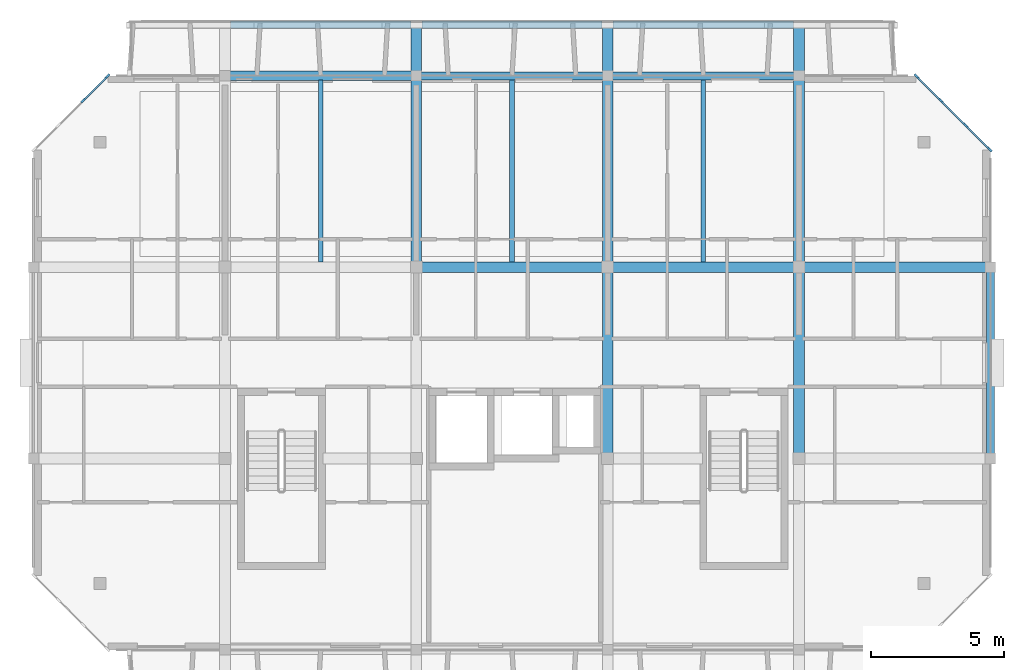
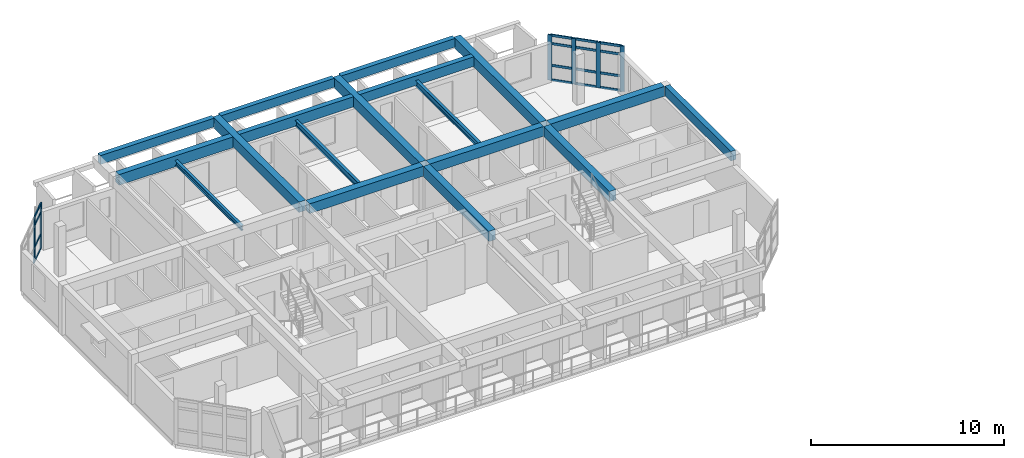
# One storey, part 4 of 19: 22 members, 18 beams, 2 elements without a shape of their own.
"""IFC4 building model written with IfcOpenShell, lengths in metres."""

from ifc_helpers import new_model, si_unit, direction, frame, origin, origin_2d, place, context, subcontext, project, spatial, rectangle, i_section, extrude, material, layer, layer_set, material_profile, profile_set, type_object, element, aggregate, save


model = new_model("IFC4")

# Units and contexts
model_context = context("Model", 3, precision=1e-05, world=origin(), true_north=direction((0.0, 1.0)))
body_context = subcontext(model_context, "Body", "Model", "MODEL_VIEW")
ifc_project = project(units=[si_unit("LENGTHUNIT", "METRE"), si_unit("AREAUNIT", "SQUARE_METRE"), si_unit("VOLUMEUNIT", "CUBIC_METRE"), si_unit("PLANEANGLEUNIT", "RADIAN"), si_unit("MASSUNIT", "GRAM", prefix="KILO")], contexts=[model_context])

# Site, building, storey
site_placement = place(None, origin())
site = spatial("IfcSite", under=ifc_project, at=site_placement, CompositionType="ELEMENT")
building_placement = place(site_placement, origin())
building = spatial("IfcBuilding", under=site, at=building_placement, Name="Ochrevale Crest", CompositionType="ELEMENT")
storey_placement = place(building_placement, frame((0.0, 0.0, 43.35009765625)))
storey = spatial("IfcBuildingStorey", under=building, at=storey_placement, Name="L13", CompositionType="ELEMENT", Elevation=43.35009765625)

# Beams
ifc_material_1 = material(Name="Precast concrete C50/60", Category="concrete")
ifc_material_profile_1 = material_profile(ifc_material_1, rectangle(XDim=0.39990234375, YDim=0.6201171875, at=origin_2d()), Name="PC 400x620")
ifc_profile_set_1 = profile_set([ifc_material_profile_1], Name="Precast concrete C50/60")
beam_type_1 = type_object("IfcBeamType", Name="BM-PC400x620", PredefinedType="BEAM", material=ifc_profile_set_1)
for number, where, z_axis, x_axis, name in (
    (1, (144.199951171875, 86.39990234375, 2.83984375), (1.0, 0.0, 0.0), (0.0, 1.0, 0.0), "Block D L13 E-W beam Y=86.4"),
    (2, (151.39990234375, 86.39990234375, 2.83984375), (1.0, 0.0, 0.0), (0.0, 1.0, 0.0), "Block D L13 E-W beam Y=86.4"),
):
    element("IfcBeam", number, at=place(storey_placement, frame(where, z_axis=z_axis, x_axis=x_axis)), inside=storey, type_object=beam_type_1, Name=name, PredefinedType="BEAM", context=body_context, shape_type="SweptSolid", body=[
        extrude(rectangle(XDim=0.39990234375, YDim=0.6201171875, at=origin_2d()), origin(), (0.0, 0.0, 1.0), 6.800048828125),
    ])
beam_1_placement = place(storey_placement, frame((158.60009765625, 86.39990234375, 2.83984375), z_axis=(1.0, 0.0, 0.0), x_axis=(0.0, 1.0, 0.0)))
element("IfcBeam", 3, at=beam_1_placement, inside=storey, type_object=beam_type_1, Name="Block D L13 E-W beam Y=86.4", PredefinedType="BEAM", context=body_context, shape_type="SweptSolid", body=[
    extrude(rectangle(XDim=0.39990234375, YDim=0.6201171875, at=origin_2d()), origin(), (0.0, 0.0, 1.0), 6.824951171875),
])
ifc_material_profile_2 = material_profile(ifc_material_1, rectangle(XDim=0.39990234375, YDim=0.64990234375, at=origin_2d()), Name="PC 400x650")
ifc_profile_set_2 = profile_set([ifc_material_profile_2], Name="Precast concrete C50/60")
beam_type_2 = type_object("IfcBeamType", Name="BM-PC400x650", PredefinedType="BEAM", material=ifc_profile_set_2)
beam_2_placement = place(storey_placement, frame((144.0, 86.60498046875, 2.824951171875), z_axis=(0.0, 1.0, 0.0), x_axis=(-1.0, 0.0, 0.0)))
element("IfcBeam", 4, at=beam_2_placement, inside=storey, type_object=beam_type_2, Name="Block D L13 N-S beam X=144.0", PredefinedType="BEAM", context=body_context, shape_type="SweptSolid", body=[
    extrude(rectangle(XDim=0.39990234375, YDim=0.64990234375, at=origin_2d()), origin(), (0.0, 0.0, 1.0), 8.9150390625),
])
beam_3_placement = place(storey_placement, frame((151.199951171875, 79.405029296875, 2.824951171875), z_axis=(0.0, 1.0, 0.0), x_axis=(-1.0, 0.0, 0.0)))
element("IfcBeam", 5, at=beam_3_placement, inside=storey, type_object=beam_type_2, Name="Block D L13 N-S beam X=151.2", PredefinedType="BEAM", context=body_context, shape_type="SweptSolid", body=[
    extrude(rectangle(XDim=0.39990234375, YDim=0.64990234375, at=origin_2d()), origin(), (0.0, 0.0, 1.0), 6.7900390625),
])
beam_4_placement = place(storey_placement, frame((151.199951171875, 86.60498046875, 2.824951171875), z_axis=(0.0, 1.0, 0.0), x_axis=(-1.0, 0.0, 0.0)))
element("IfcBeam", 6, at=beam_4_placement, inside=storey, type_object=beam_type_2, Name="Block D L13 N-S beam X=151.2", PredefinedType="BEAM", context=body_context, shape_type="SweptSolid", body=[
    extrude(rectangle(XDim=0.39990234375, YDim=0.64990234375, at=origin_2d()), origin(), (0.0, 0.0, 1.0), 8.9150390625),
])
beam_5_placement = place(storey_placement, frame((158.39990234375, 79.405029296875, 2.824951171875), z_axis=(0.0, 1.0, 0.0), x_axis=(-1.0, 0.0, 0.0)))
element("IfcBeam", 7, at=beam_5_placement, inside=storey, type_object=beam_type_2, Name="Block D L13 N-S beam X=158.4", PredefinedType="BEAM", context=body_context, shape_type="SweptSolid", body=[
    extrude(rectangle(XDim=0.39990234375, YDim=0.64990234375, at=origin_2d()), origin(), (0.0, 0.0, 1.0), 6.7900390625),
])
beam_6_placement = place(storey_placement, frame((158.39990234375, 86.60498046875, 2.824951171875), z_axis=(0.0, 1.0, 0.0), x_axis=(-1.0, 0.0, 0.0)))
element("IfcBeam", 8, at=beam_6_placement, inside=storey, type_object=beam_type_2, Name="Block D L13 N-S beam X=158.4", PredefinedType="BEAM", context=body_context, shape_type="SweptSolid", body=[
    extrude(rectangle(XDim=0.39990234375, YDim=0.64990234375, at=origin_2d()), origin(), (0.0, 0.0, 1.0), 8.9150390625),
])
ifc_material_2 = material(Name="Precast concrete C40/50", Category="concrete")
ifc_material_profile_3 = material_profile(ifc_material_2, rectangle(XDim=0.280029296875, YDim=0.550048828125, at=origin_2d()), Name="PC 280x550")
ifc_profile_set_3 = profile_set([ifc_material_profile_3], Name="Precast concrete C40/50")
beam_type_3 = type_object("IfcBeamType", Name="BM-SP280x550", PredefinedType="SPANDREL", material=ifc_profile_set_3)
for number, where, z_axis, x_axis, name in (
    (9, (137.0048828125, 95.52001953125, 2.875), (1.0, 0.0, 0.0), (0.0, 1.0, 0.0), "Block D L13 top-loggia precast ring lintel N-1"),
    (10, (144.205078125, 95.52001953125, 2.875), (1.0, 0.0, 0.0), (0.0, 1.0, 0.0), "Block D L13 top-loggia precast ring lintel N-2"),
    (11, (151.405029296875, 95.52001953125, 2.875), (1.0, 0.0, 0.0), (0.0, 1.0, 0.0), "Block D L13 top-loggia precast ring lintel N-3"),
):
    element("IfcBeam", number, at=place(storey_placement, frame(where, z_axis=z_axis, x_axis=x_axis)), inside=storey, type_object=beam_type_3, Name=name, PredefinedType="SPANDREL", context=body_context, shape_type="SweptSolid", body=[
        extrude(rectangle(XDim=0.280029296875, YDim=0.550048828125, at=origin_2d()), origin(), (0.0, 0.0, 1.0), 6.7900390625),
    ])
ifc_material_profile_4 = material_profile(ifc_material_2, rectangle(XDim=0.300048828125, YDim=0.60009765625, at=origin_2d()), Name="PC 300x600")
ifc_profile_set_4 = profile_set([ifc_material_profile_4], Name="Precast concrete C40/50")
beam_type_4 = type_object("IfcBeamType", Name="BM-SP300x600", PredefinedType="SPANDREL", material=ifc_profile_set_4)
beam_7_placement = place(storey_placement, frame((151.375, 93.60009765625, 2.849853515625), z_axis=(1.0, 0.0, 0.0), x_axis=(0.0, 1.0, 0.0)))
element("IfcBeam", 12, at=beam_7_placement, inside=storey, type_object=beam_type_4, Name="Block D L13 E-W beam Y=93.6", PredefinedType="SPANDREL", context=body_context, shape_type="SweptSolid", body=[
    extrude(rectangle(XDim=0.300048828125, YDim=0.60009765625, at=origin_2d()), origin(), (0.0, 0.0, 1.0), 6.85009765625),
])
beam_8_placement = place(storey_placement, frame((165.60009765625, 79.3798828125, 2.849853515625), z_axis=(0.0, 1.0, 0.0), x_axis=(-1.0, 0.0, 0.0)))
element("IfcBeam", 13, at=beam_8_placement, inside=storey, type_object=beam_type_4, Name="Block D L13 N-S beam X=165.6", PredefinedType="SPANDREL", context=body_context, shape_type="SweptSolid", body=[
    extrude(rectangle(XDim=0.300048828125, YDim=0.60009765625, at=origin_2d()), origin(), (0.0, 0.0, 1.0), 6.840087890625),
])
ifc_material_profile_5 = material_profile(ifc_material_2, rectangle(XDim=0.300048828125, YDim=0.64990234375, at=origin_2d()), Name="PC 300x650")
ifc_profile_set_5 = profile_set([ifc_material_profile_5], Name="Precast concrete C40/50")
beam_type_5 = type_object("IfcBeamType", Name="BM-SP300x650", PredefinedType="SPANDREL", material=ifc_profile_set_5)
beam_9_placement = place(storey_placement, frame((144.175048828125, 93.60009765625, 2.824951171875), z_axis=(1.0, 0.0, 0.0), x_axis=(0.0, 1.0, 0.0)))
element("IfcBeam", 14, at=beam_9_placement, inside=storey, type_object=beam_type_5, Name="Block D L13 E-W beam Y=93.6", PredefinedType="SPANDREL", context=body_context, shape_type="SweptSolid", body=[
    extrude(rectangle(XDim=0.300048828125, YDim=0.64990234375, at=origin_2d()), origin(), (0.0, 0.0, 1.0), 6.849853515625),
])
ifc_material_profile_6 = material_profile(ifc_material_2, rectangle(XDim=0.35009765625, YDim=0.679931640625, at=origin_2d()), Name="PC 350x680")
ifc_profile_set_6 = profile_set([ifc_material_profile_6], Name="Precast concrete C40/50")
beam_type_6 = type_object("IfcBeamType", Name="BM-SP350x680", PredefinedType="SPANDREL", material=ifc_profile_set_6)
beam_10_placement = place(storey_placement, frame((136.97509765625, 93.60009765625, 2.809814453125), z_axis=(1.0, 0.0, 0.0), x_axis=(0.0, 1.0, 0.0)))
element("IfcBeam", 15, at=beam_10_placement, inside=storey, type_object=beam_type_6, Name="Block D L13 E-W beam Y=93.6", PredefinedType="SPANDREL", context=body_context, shape_type="SweptSolid", body=[
    extrude(rectangle(XDim=0.35009765625, YDim=0.679931640625, at=origin_2d()), origin(), (0.0, 0.0, 1.0), 6.849853515625),
])
ifc_material_3 = material(Name="Steel S355", Category="steel")
ifc_material_profile_7 = material_profile(ifc_material_3, i_section(OverallWidth=0.1650390625, OverallDepth=0.3037109375, WebThickness=0.006103515625, FlangeThickness=0.01025390625, FilletRadius=0.011474609375, at=origin_2d()), Name="310UB40.4")
ifc_profile_set_7 = profile_set([ifc_material_profile_7], Name="Steel S355")
beam_type_7 = type_object("IfcBeamType", Name="BM-UB310A", PredefinedType="BEAM", material=ifc_profile_set_7)
beam_11_placement = place(storey_placement, frame((140.39990234375, 86.587890625, 2.722900390625), z_axis=(0.0, 1.0, 0.0), x_axis=(-1.0, 0.0, 0.0)))
element("IfcBeam", 16, at=beam_11_placement, inside=storey, type_object=beam_type_7, Name="Block D L13 composite plank trimmer beam 2", PredefinedType="BEAM", context=body_context, shape_type="SweptSolid", body=[
    extrude(i_section(OverallWidth=0.1650390625, OverallDepth=0.3037109375, WebThickness=0.006103515625, FlangeThickness=0.01025390625, FilletRadius=0.011474609375, at=origin_2d()), origin(), (0.0, 0.0, 1.0), 6.84912109375),
])
ifc_material_profile_8 = material_profile(ifc_material_3, i_section(OverallWidth=0.17138671875, OverallDepth=0.355712890625, WebThickness=0.00732421875, FlangeThickness=0.011474609375, FilletRadius=0.011474609375, at=origin_2d()), Name="360UB50.7")
ifc_profile_set_8 = profile_set([ifc_material_profile_8], Name="Steel S355")
beam_type_8 = type_object("IfcBeamType", Name="BM-UB360A", PredefinedType="BEAM", material=ifc_profile_set_8)
beam_12_placement = place(storey_placement, frame((147.60009765625, 86.587890625, 2.697021484375), z_axis=(0.0, 1.0, 0.0), x_axis=(-1.0, 0.0, 0.0)))
element("IfcBeam", 17, at=beam_12_placement, inside=storey, type_object=beam_type_8, Name="Block D L13 composite plank trimmer beam 3", PredefinedType="BEAM", context=body_context, shape_type="SweptSolid", body=[
    extrude(i_section(OverallWidth=0.17138671875, OverallDepth=0.355712890625, WebThickness=0.00732421875, FlangeThickness=0.011474609375, FilletRadius=0.011474609375, at=origin_2d()), origin(), (0.0, 0.0, 1.0), 6.8740234375),
])
ifc_material_profile_9 = material_profile(ifc_material_3, i_section(OverallWidth=0.172119140625, OverallDepth=0.358642578125, WebThickness=0.008056640625, FlangeThickness=0.012939453125, FilletRadius=0.011474609375, at=origin_2d()), Name="360UB56.7")
ifc_profile_set_9 = profile_set([ifc_material_profile_9], Name="Steel S355")
beam_type_9 = type_object("IfcBeamType", Name="BM-UB360B", PredefinedType="BEAM", material=ifc_profile_set_9)
beam_13_placement = place(storey_placement, frame((154.800048828125, 86.587890625, 2.695556640625), z_axis=(0.0, 1.0, 0.0), x_axis=(-1.0, 0.0, 0.0)))
element("IfcBeam", 18, at=beam_13_placement, inside=storey, type_object=beam_type_9, Name="Block D L13 composite plank trimmer beam 4", PredefinedType="BEAM", context=body_context, shape_type="SweptSolid", body=[
    extrude(i_section(OverallWidth=0.172119140625, OverallDepth=0.358642578125, WebThickness=0.008056640625, FlangeThickness=0.012939453125, FilletRadius=0.011474609375, at=origin_2d()), origin(), (0.0, 0.0, 1.0), 6.8740234375),
])

# Curtain wall, members
ifc_material_4 = material(Name="Anodised aluminium 6063-T5", Category="aluminium")
ifc_layer_1 = layer(ifc_material_4, 0.14990234375)
ifc_layer_set_1 = layer_set([ifc_layer_1], Name="Anodised aluminium 6063-T5")
curtain_wall_type_1 = type_object("IfcCurtainWallType", Name="CW-WG-320x285", PredefinedType="NOTDEFINED", material=ifc_layer_set_1)
curtain_wall_1_placement = place(storey_placement, origin())
curtain_wall_1 = element("IfcCurtainWall", 19, at=curtain_wall_1_placement, inside=storey, type_object=curtain_wall_type_1, Name="Block D L13 chamfered corner wintergarden curtain wall 4", PredefinedType="NOTDEFINED")
ifc_material_profile_10 = material_profile(ifc_material_4, rectangle(XDim=0.074951171875, YDim=0.219970703125, at=origin_2d()), Name="ALU 75x220")
ifc_profile_set_10 = profile_set([ifc_material_profile_10], Name="Anodised aluminium 6063-T5")
member_type_1 = type_object("IfcMemberType", Name="CW-MUL-75x220", PredefinedType="MULLION", material=ifc_profile_set_10)
member_1_placement = place(storey_placement, frame((165.573486328125, 90.826416015625, 0.0), z_axis=(0.0, 0.0, 1.0), x_axis=(-0.707106781187, -0.707106781187, 0.0)))
member_1 = element("IfcMember", 20, at=member_1_placement, type_object=member_type_1, Name="CW17 mullion 1", PredefinedType="MULLION", context=body_context, shape_type="SweptSolid", body=[
    extrude(rectangle(XDim=0.074951171875, YDim=0.219970703125, at=origin_2d()), origin(), (0.0, 0.0, 1.0), 2.875),
])
member_2_placement = place(storey_placement, frame((164.666748046875, 91.7333984375, 0.0), z_axis=(0.0, 0.0, 1.0), x_axis=(-0.707106781187, -0.707106781187, 0.0)))
member_2 = element("IfcMember", 21, at=member_2_placement, type_object=member_type_1, Name="CW17 mullion 2", PredefinedType="MULLION", context=body_context, shape_type="SweptSolid", body=[
    extrude(rectangle(XDim=0.074951171875, YDim=0.219970703125, at=origin_2d()), origin(), (0.0, 0.0, 1.0), 2.875),
])
member_3_placement = place(storey_placement, frame((163.7333984375, 92.666748046875, 0.0), z_axis=(0.0, 0.0, 1.0), x_axis=(-0.707106781187, -0.707106781187, 0.0)))
member_3 = element("IfcMember", 22, at=member_3_placement, type_object=member_type_1, Name="CW17 mullion 3", PredefinedType="MULLION", context=body_context, shape_type="SweptSolid", body=[
    extrude(rectangle(XDim=0.074951171875, YDim=0.219970703125, at=origin_2d()), origin(), (0.0, 0.0, 1.0), 2.875),
])
member_4_placement = place(storey_placement, frame((162.826416015625, 93.573486328125, 0.0), z_axis=(0.0, 0.0, 1.0), x_axis=(-0.707106781187, -0.707106781187, 0.0)))
member_4 = element("IfcMember", 23, at=member_4_placement, type_object=member_type_1, Name="CW17 mullion 4", PredefinedType="MULLION", context=body_context, shape_type="SweptSolid", body=[
    extrude(rectangle(XDim=0.074951171875, YDim=0.219970703125, at=origin_2d()), origin(), (0.0, 0.0, 1.0), 2.875),
])

ifc_layer_2 = layer(ifc_material_4, 0.14990234375)
ifc_layer_set_2 = layer_set([ifc_layer_2], Name="Anodised aluminium 6063-T5")
curtain_wall_type_2 = type_object("IfcCurtainWallType", Name="CW-WG-420x285", PredefinedType="NOTDEFINED", material=ifc_layer_set_2)
curtain_wall_2_placement = place(storey_placement, origin())
curtain_wall_2 = element("IfcCurtainWall", 24, at=curtain_wall_2_placement, inside=storey, type_object=curtain_wall_type_2, Name="Block D L13 chamfered corner wintergarden curtain wall 6", PredefinedType="NOTDEFINED")
member_5_placement = place(storey_placement, frame((132.37353515625, 93.573486328125, 0.0), z_axis=(0.0, 0.0, 1.0), x_axis=(0.707106781187, -0.707106781187, 0.0)))
member_5 = element("IfcMember", 25, at=member_5_placement, type_object=member_type_1, Name="CW22 mullion 1", PredefinedType="MULLION", context=body_context, shape_type="SweptSolid", body=[
    extrude(rectangle(XDim=0.074951171875, YDim=0.219970703125, at=origin_2d()), origin(), (0.0, 0.0, 1.0), 2.875),
])
member_6_placement = place(storey_placement, frame((131.466552734375, 92.666748046875, 0.0), z_axis=(0.0, 0.0, 1.0), x_axis=(0.707106781187, -0.707106781187, 0.0)))
member_6 = element("IfcMember", 26, at=member_6_placement, type_object=member_type_1, Name="CW22 mullion 2", PredefinedType="MULLION", context=body_context, shape_type="SweptSolid", body=[
    extrude(rectangle(XDim=0.074951171875, YDim=0.219970703125, at=origin_2d()), origin(), (0.0, 0.0, 1.0), 2.875),
])

# Member
ifc_material_profile_11 = material_profile(ifc_material_4, rectangle(XDim=0.06005859375, YDim=0.14990234375, at=origin_2d()), Name="ALU 60x150")
ifc_profile_set_11 = profile_set([ifc_material_profile_11], Name="Anodised aluminium 6063-T5")
member_type_2 = type_object("IfcMemberType", Name="CW-TRN-60x150", PredefinedType="USERDEFINED", material=ifc_profile_set_11)
member_7_placement = place(storey_placement, frame((165.546875, 90.85302734375, 0.02978515625), z_axis=(-0.707106781187, 0.707106781187, 0.0), x_axis=(-0.707106781187, -0.707106781187, 0.0)))
member_7 = element("IfcMember", 27, at=member_7_placement, type_object=member_type_2, Name="CW17 transom 1.1", ObjectType="TRANSOM", PredefinedType="USERDEFINED", context=body_context, shape_type="SweptSolid", body=[
    extrude(rectangle(XDim=0.06005859375, YDim=0.14990234375, at=origin_2d()), origin(), (0.0, 0.0, 1.0), 1.20751953125),
])

member_8_placement = place(storey_placement, frame((165.546875, 90.85302734375, 0.949951171875), z_axis=(-0.707106781187, 0.707106781187, 0.0), x_axis=(-0.707106781187, -0.707106781187, 0.0)))
member_8 = element("IfcMember", 28, at=member_8_placement, type_object=member_type_2, Name="CW17 transom 1.2", ObjectType="TRANSOM", PredefinedType="USERDEFINED", context=body_context, shape_type="SweptSolid", body=[
    extrude(rectangle(XDim=0.06005859375, YDim=0.14990234375, at=origin_2d()), origin(), (0.0, 0.0, 1.0), 1.20751953125),
])

member_9_placement = place(storey_placement, frame((165.546875, 90.85302734375, 2.324951171875), z_axis=(-0.707106781187, 0.707106781187, 0.0), x_axis=(-0.707106781187, -0.707106781187, 0.0)))
member_9 = element("IfcMember", 29, at=member_9_placement, type_object=member_type_2, Name="CW17 transom 1.3", ObjectType="TRANSOM", PredefinedType="USERDEFINED", context=body_context, shape_type="SweptSolid", body=[
    extrude(rectangle(XDim=0.06005859375, YDim=0.14990234375, at=origin_2d()), origin(), (0.0, 0.0, 1.0), 1.20751953125),
])

member_10_placement = place(storey_placement, frame((165.546875, 90.85302734375, 2.844970703125), z_axis=(-0.707106781187, 0.707106781187, 0.0), x_axis=(-0.707106781187, -0.707106781187, 0.0)))
member_10 = element("IfcMember", 30, at=member_10_placement, type_object=member_type_2, Name="CW17 transom 1.4", ObjectType="TRANSOM", PredefinedType="USERDEFINED", context=body_context, shape_type="SweptSolid", body=[
    extrude(rectangle(XDim=0.06005859375, YDim=0.14990234375, at=origin_2d()), origin(), (0.0, 0.0, 1.0), 1.20751953125),
])

member_11_placement = place(storey_placement, frame((164.64013671875, 91.759765625, 0.02978515625), z_axis=(-0.707106781187, 0.707106781187, 0.0), x_axis=(-0.707106781187, -0.707106781187, 0.0)))
member_11 = element("IfcMember", 31, at=member_11_placement, type_object=member_type_2, Name="CW17 transom 2.1", ObjectType="TRANSOM", PredefinedType="USERDEFINED", context=body_context, shape_type="SweptSolid", body=[
    extrude(rectangle(XDim=0.06005859375, YDim=0.14990234375, at=origin_2d()), origin(), (0.0, 0.0, 1.0), 1.2451171875),
])

member_12_placement = place(storey_placement, frame((164.64013671875, 91.759765625, 0.949951171875), z_axis=(-0.707106781187, 0.707106781187, 0.0), x_axis=(-0.707106781187, -0.707106781187, 0.0)))
member_12 = element("IfcMember", 32, at=member_12_placement, type_object=member_type_2, Name="CW17 transom 2.2", ObjectType="TRANSOM", PredefinedType="USERDEFINED", context=body_context, shape_type="SweptSolid", body=[
    extrude(rectangle(XDim=0.06005859375, YDim=0.14990234375, at=origin_2d()), origin(), (0.0, 0.0, 1.0), 1.2451171875),
])

member_13_placement = place(storey_placement, frame((164.64013671875, 91.759765625, 2.324951171875), z_axis=(-0.707106781187, 0.707106781187, 0.0), x_axis=(-0.707106781187, -0.707106781187, 0.0)))
member_13 = element("IfcMember", 33, at=member_13_placement, type_object=member_type_2, Name="CW17 transom 2.3", ObjectType="TRANSOM", PredefinedType="USERDEFINED", context=body_context, shape_type="SweptSolid", body=[
    extrude(rectangle(XDim=0.06005859375, YDim=0.14990234375, at=origin_2d()), origin(), (0.0, 0.0, 1.0), 1.2451171875),
])

member_14_placement = place(storey_placement, frame((164.64013671875, 91.759765625, 2.844970703125), z_axis=(-0.707106781187, 0.707106781187, 0.0), x_axis=(-0.707106781187, -0.707106781187, 0.0)))
member_14 = element("IfcMember", 34, at=member_14_placement, type_object=member_type_2, Name="CW17 transom 2.4", ObjectType="TRANSOM", PredefinedType="USERDEFINED", context=body_context, shape_type="SweptSolid", body=[
    extrude(rectangle(XDim=0.06005859375, YDim=0.14990234375, at=origin_2d()), origin(), (0.0, 0.0, 1.0), 1.2451171875),
])

member_15_placement = place(storey_placement, frame((163.706787109375, 92.693115234375, 0.02978515625), z_axis=(-0.707106781187, 0.707106781187, 0.0), x_axis=(-0.707106781187, -0.707106781187, 0.0)))
member_15 = element("IfcMember", 35, at=member_15_placement, type_object=member_type_2, Name="CW17 transom 3.1", ObjectType="TRANSOM", PredefinedType="USERDEFINED", context=body_context, shape_type="SweptSolid", body=[
    extrude(rectangle(XDim=0.06005859375, YDim=0.14990234375, at=origin_2d()), origin(), (0.0, 0.0, 1.0), 1.20751953125),
])

member_16_placement = place(storey_placement, frame((163.706787109375, 92.693115234375, 0.949951171875), z_axis=(-0.707106781187, 0.707106781187, 0.0), x_axis=(-0.707106781187, -0.707106781187, 0.0)))
member_16 = element("IfcMember", 36, at=member_16_placement, type_object=member_type_2, Name="CW17 transom 3.2", ObjectType="TRANSOM", PredefinedType="USERDEFINED", context=body_context, shape_type="SweptSolid", body=[
    extrude(rectangle(XDim=0.06005859375, YDim=0.14990234375, at=origin_2d()), origin(), (0.0, 0.0, 1.0), 1.20751953125),
])

member_17_placement = place(storey_placement, frame((163.706787109375, 92.693115234375, 2.324951171875), z_axis=(-0.707106781187, 0.707106781187, 0.0), x_axis=(-0.707106781187, -0.707106781187, 0.0)))
member_17 = element("IfcMember", 37, at=member_17_placement, type_object=member_type_2, Name="CW17 transom 3.3", ObjectType="TRANSOM", PredefinedType="USERDEFINED", context=body_context, shape_type="SweptSolid", body=[
    extrude(rectangle(XDim=0.06005859375, YDim=0.14990234375, at=origin_2d()), origin(), (0.0, 0.0, 1.0), 1.20751953125),
])

member_18_placement = place(storey_placement, frame((163.706787109375, 92.693115234375, 2.844970703125), z_axis=(-0.707106781187, 0.707106781187, 0.0), x_axis=(-0.707106781187, -0.707106781187, 0.0)))
member_18 = element("IfcMember", 38, at=member_18_placement, type_object=member_type_2, Name="CW17 transom 3.4", ObjectType="TRANSOM", PredefinedType="USERDEFINED", context=body_context, shape_type="SweptSolid", body=[
    extrude(rectangle(XDim=0.06005859375, YDim=0.14990234375, at=origin_2d()), origin(), (0.0, 0.0, 1.0), 1.20751953125),
])

aggregate(curtain_wall_1, [member_1, member_2, member_3, member_4, member_7, member_8, member_9, member_10, member_11, member_12, member_13, member_14, member_15, member_16, member_17, member_18])

member_19_placement = place(storey_placement, frame((132.346923828125, 93.546875, 0.02978515625), z_axis=(-0.707106781187, -0.707106781187, 0.0), x_axis=(0.707106781187, -0.707106781187, 0.0)))
member_19 = element("IfcMember", 39, at=member_19_placement, type_object=member_type_2, Name="CW22 transom 1.1", ObjectType="TRANSOM", PredefinedType="USERDEFINED", context=body_context, shape_type="SweptSolid", body=[
    extrude(rectangle(XDim=0.06005859375, YDim=0.14990234375, at=origin_2d()), origin(), (0.0, 0.0, 1.0), 1.20751953125),
])

member_20_placement = place(storey_placement, frame((132.346923828125, 93.546875, 0.949951171875), z_axis=(-0.707106781187, -0.707106781187, 0.0), x_axis=(0.707106781187, -0.707106781187, 0.0)))
member_20 = element("IfcMember", 40, at=member_20_placement, type_object=member_type_2, Name="CW22 transom 1.2", ObjectType="TRANSOM", PredefinedType="USERDEFINED", context=body_context, shape_type="SweptSolid", body=[
    extrude(rectangle(XDim=0.06005859375, YDim=0.14990234375, at=origin_2d()), origin(), (0.0, 0.0, 1.0), 1.20751953125),
])

member_21_placement = place(storey_placement, frame((132.346923828125, 93.546875, 2.324951171875), z_axis=(-0.707106781187, -0.707106781187, 0.0), x_axis=(0.707106781187, -0.707106781187, 0.0)))
member_21 = element("IfcMember", 41, at=member_21_placement, type_object=member_type_2, Name="CW22 transom 1.3", ObjectType="TRANSOM", PredefinedType="USERDEFINED", context=body_context, shape_type="SweptSolid", body=[
    extrude(rectangle(XDim=0.06005859375, YDim=0.14990234375, at=origin_2d()), origin(), (0.0, 0.0, 1.0), 1.20751953125),
])

member_22_placement = place(storey_placement, frame((132.346923828125, 93.546875, 2.844970703125), z_axis=(-0.707106781187, -0.707106781187, 0.0), x_axis=(0.707106781187, -0.707106781187, 0.0)))
member_22 = element("IfcMember", 42, at=member_22_placement, type_object=member_type_2, Name="CW22 transom 1.4", ObjectType="TRANSOM", PredefinedType="USERDEFINED", context=body_context, shape_type="SweptSolid", body=[
    extrude(rectangle(XDim=0.06005859375, YDim=0.14990234375, at=origin_2d()), origin(), (0.0, 0.0, 1.0), 1.20751953125),
])

aggregate(curtain_wall_2, [member_5, member_6, member_19, member_20, member_21, member_22])

save(model, "model.ifc")
